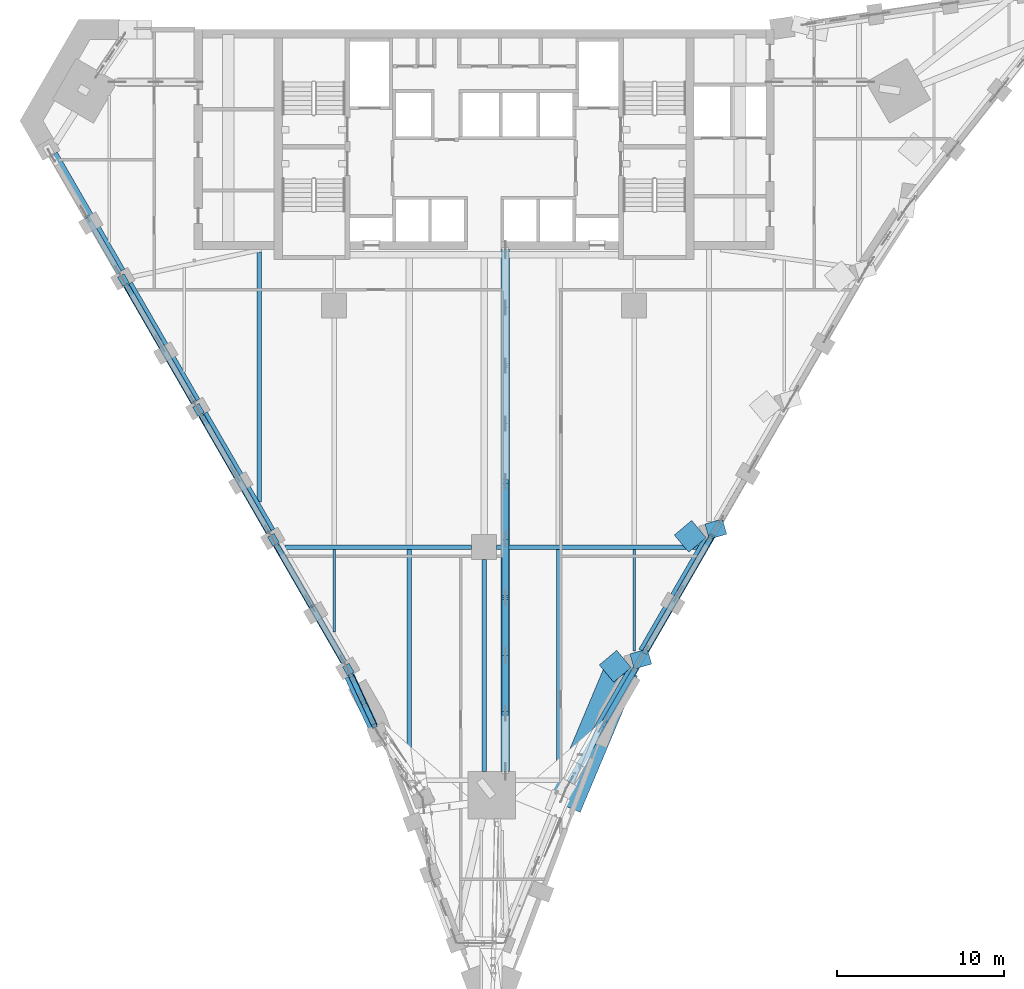
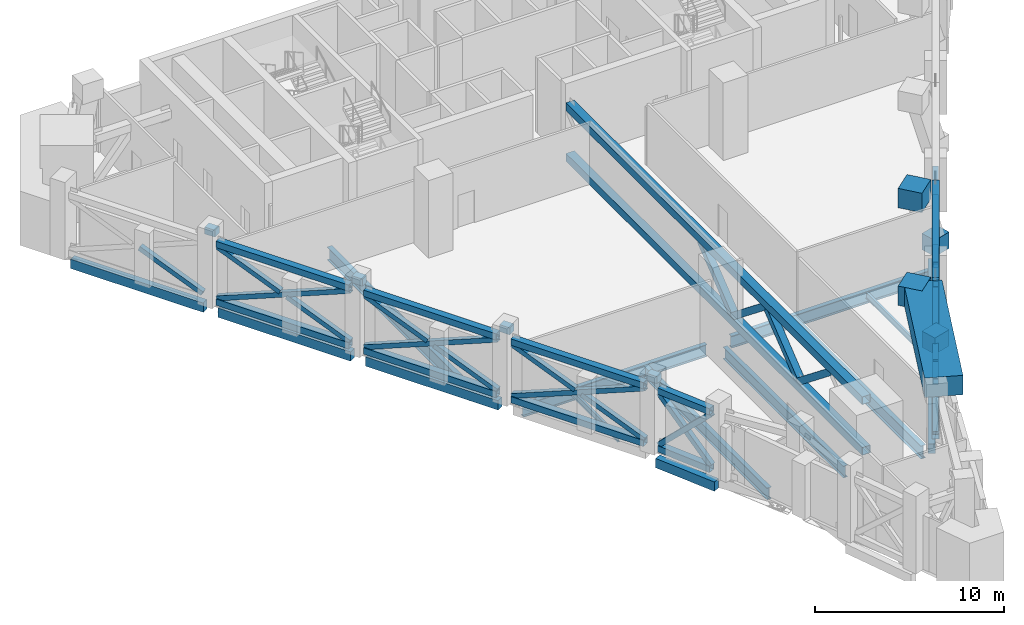
# One storey, part 2 of 20: 38 members, 23 beams.
"""IFC4 building model written with IfcOpenShell, lengths in metres."""

import ifcopenshell
import ifcopenshell.guid

model = None  # the IFC model being written
_history = None  # IfcOwnerHistory: only IFC2X3 demands one
_inside = {}  # id of a spatial element -> (the spatial element, [elements in it])
_under = {}  # id of a project, library or spatial element -> (it, [spatial elements below it])
_declared = {}  # id of a project -> (the project, [libraries it declares])
_typed = {}  # id of a type object -> (the type object, [elements of that type])
_made_of = {}  # id of a material, layer set ... -> (it, [elements and type objects made of it])


def new_model(schema):
    """Start an empty IFC model of exactly this schema.

    Asked for "IFC4X3", IfcOpenShell would pick the latest addendum, in which some entities
    have other attributes; the version numbers below select the first issue.
    IFC2X3 requires an IfcOwnerHistory on every rooted entity: one is made here for all.
    """
    global model, _history
    if schema == "IFC4X3":
        model = ifcopenshell.file(schema_version=(4, 3, 0, 0))
    else:
        model = ifcopenshell.file(schema=schema)
    _inside.clear()
    _under.clear()
    _declared.clear()
    _typed.clear()
    _made_of.clear()
    _history = None
    if model.schema == "IFC2X3":
        org = make("IfcOrganization", Name="unknown")
        user = make(
            "IfcPersonAndOrganization",
            ThePerson=make("IfcPerson", FamilyName="unknown"),
            TheOrganization=org,
        )
        app = make(
            "IfcApplication",
            ApplicationDeveloper=org,
            Version="unknown",
            ApplicationFullName="unknown",
            ApplicationIdentifier="unknown",
        )
        _history = make(
            "IfcOwnerHistory",
            OwningUser=user,
            OwningApplication=app,
            ChangeAction="ADDED",
            CreationDate=0,
        )
    return model


def make(cls, **values):
    """One entity of the class cls with the attributes given. An attribute that is None is left unset."""
    return model.create_entity(
        cls, **{name: value for name, value in values.items() if value is not None}
    )


def rooted(cls, **values):
    """An entity with a GlobalId (a new one), such as an element, a storey or a relation."""
    return make(cls, GlobalId=ifcopenshell.guid.new(), OwnerHistory=_history, **values)


def si_unit(unit_type, name, prefix=None):
    """IfcSIUnit, for example si_unit("LENGTHUNIT", "METRE", prefix="MILLI")."""
    return make("IfcSIUnit", UnitType=unit_type, Prefix=prefix, Name=name)


def assignment(units):
    """IfcUnitAssignment: the units of a project."""
    return None if units is None else make("IfcUnitAssignment", Units=units)


def point(xyz):
    """IfcCartesianPoint."""
    return None if xyz is None else make("IfcCartesianPoint", Coordinates=xyz)


def direction(xyz):
    """IfcDirection."""
    return None if xyz is None else make("IfcDirection", DirectionRatios=xyz)


def frame(location, z_axis=None, x_axis=None):
    """IfcAxis2Placement3D, a coordinate frame: its origin and axes. An axis left out is left unset."""
    return make(
        "IfcAxis2Placement3D",
        Location=point(location),
        Axis=direction(z_axis),
        RefDirection=direction(x_axis),
    )


def frame_2d(location, x_axis=None):
    """IfcAxis2Placement2D, a coordinate frame in the plane: its origin and x axis."""
    return make(
        "IfcAxis2Placement2D", Location=point(location), RefDirection=direction(x_axis)
    )


def origin():
    """The frame at (0, 0, 0) with its axes left unset."""
    return frame((0.0, 0.0, 0.0))


def origin_2d():
    """The frame at (0, 0) in the plane with its x axis left unset."""
    return frame_2d((0.0, 0.0))


def place(relative_to, where):
    """IfcLocalPlacement: puts the frame where relative to a parent placement (None: the world)."""
    return make(
        "IfcLocalPlacement", PlacementRelTo=relative_to, RelativePlacement=where
    )


def context(
    kind, dimensions, precision=None, world=None, true_north=None, identifier=None
):
    """IfcGeometricRepresentationContext, for example the 3D "Model" context."""
    return make(
        "IfcGeometricRepresentationContext",
        ContextIdentifier=identifier,
        ContextType=kind,
        CoordinateSpaceDimension=dimensions,
        Precision=precision,
        WorldCoordinateSystem=world,
        TrueNorth=true_north,
    )


def subcontext(parent, identifier, kind, view, scale=None):
    """IfcGeometricRepresentationSubContext, for example "Body" below "Model"."""
    return make(
        "IfcGeometricRepresentationSubContext",
        ContextIdentifier=identifier,
        ContextType=kind,
        ParentContext=parent,
        TargetScale=scale,
        TargetView=view,
    )


def project(units=None, contexts=None):
    """IfcProject with its units and contexts."""
    return rooted(
        "IfcProject",
        Name="project",
        RepresentationContexts=contexts,
        UnitsInContext=assignment(units),
    )


def spatial(cls, under=None, at=None, **own):
    """A site, building, storey or space (cls), placed at a placement, below another one or the project."""
    s = rooted(cls, ObjectPlacement=at, **own)
    if under is not None:
        _under.setdefault(under.id(), (under, []))[1].append(s)
    return s


def profile(cls, at=None, kind="AREA", **sizes):
    """A parametric profile (cls). Its sizes go by their IFC names, for example OverallWidth=200.0."""
    return make(cls, ProfileType=kind, Position=at, **sizes)


def rectangle(**sizes):
    """IfcRectangleProfileDef."""
    return profile("IfcRectangleProfileDef", **sizes)


def hollow_rectangle(**sizes):
    """IfcRectangleHollowProfileDef."""
    return profile("IfcRectangleHollowProfileDef", **sizes)


def i_section(**sizes):
    """IfcIShapeProfileDef."""
    return profile("IfcIShapeProfileDef", **sizes)


def extrude(swept, where, along, depth):
    """IfcExtrudedAreaSolid: the profile swept, set in the frame where, extruded along a direction by depth."""
    return make(
        "IfcExtrudedAreaSolid",
        SweptArea=swept,
        Position=where,
        ExtrudedDirection=direction(along),
        Depth=depth,
    )


def shape(context_of_items, identifier, shape_type, items):
    """IfcShapeRepresentation: the items that make up one representation, for example the "Body"."""
    return make(
        "IfcShapeRepresentation",
        ContextOfItems=context_of_items,
        RepresentationIdentifier=identifier,
        RepresentationType=shape_type,
        Items=items,
    )


def material(Name=None, Category=None):
    """IfcMaterial."""
    return make("IfcMaterial", Name=Name, Category=Category)


def material_profile(
    of_material, cross_section, Name=None, Category=None, Priority=None
):
    """IfcMaterialProfile: a cross section and its material."""
    return make(
        "IfcMaterialProfile",
        Name=Name,
        Material=of_material,
        Profile=cross_section,
        Priority=Priority,
        Category=Category,
    )


def profile_set(profiles, Name=None, composite=None):
    """IfcMaterialProfileSet."""
    return make(
        "IfcMaterialProfileSet",
        Name=Name,
        MaterialProfiles=profiles,
        CompositeProfile=composite,
    )


def made_of(thing, what):
    """Note that an element or type object is made of a material, layer set ...; save() writes the relation."""
    if what is not None:
        _made_of.setdefault(what.id(), (what, []))[1].append(thing)
    return thing


def type_object(cls, material=None, **own):
    """A type object (cls), such as IfcWallType, which elements share."""
    return made_of(rooted(cls, **own), material)


def element(
    cls,
    number,
    at=None,
    inside=None,
    cuts=None,
    type_object=None,
    material=None,
    context=None,
    identifier="Body",
    shape_type=None,
    held_by="IfcProductDefinitionShape",
    body=None,
    shapes=None,
    **own,
):
    """One element of the class cls, such as IfcWall. Its Tag is "e" and its number.

    at: its placement. inside: the storey or other place that contains it. cuts: it is an
    opening in that element (IfcRelVoidsElement). A single representation is given by context,
    identifier, shape_type and body (its items); several are given by shapes. held_by: the class
    of the entity that holds the representations. save() writes the other relations.
    """
    e = rooted(cls, Tag="e%d" % number, ObjectPlacement=at, **own)
    if body is not None:
        shapes = [shape(context, identifier, shape_type, body)]
    if shapes is not None:
        e.Representation = make(held_by, Representations=shapes)
    if inside is not None:
        _inside.setdefault(inside.id(), (inside, []))[1].append(e)
    if cuts is not None:
        rooted(
            "IfcRelVoidsElement", RelatingBuildingElement=cuts, RelatedOpeningElement=e
        )
    if type_object is not None:
        _typed.setdefault(type_object.id(), (type_object, []))[1].append(e)
    return made_of(e, material)


def aggregate(whole, parts):
    """IfcRelAggregates: a whole, such as a stair, and the parts it consists of."""
    return rooted("IfcRelAggregates", RelatingObject=whole, RelatedObjects=parts)


def save(model, path):
    """Write the relations noted so far, then the file.

    IfcRelAggregates (storeys below a building ...), IfcRelContainedInSpatialStructure (elements
    in a storey), IfcRelDefinesByType, IfcRelAssociatesMaterial and IfcRelDeclares: one each for
    every whole, place, type object, material and project.
    """
    for whole, parts in _under.values():
        aggregate(whole, parts)
    for where, things in _inside.values():
        rooted(
            "IfcRelContainedInSpatialStructure",
            RelatedElements=things,
            RelatingStructure=where,
        )
    for kind, things in _typed.values():
        rooted("IfcRelDefinesByType", RelatedObjects=things, RelatingType=kind)
    for what, things in _made_of.values():
        rooted("IfcRelAssociatesMaterial", RelatedObjects=things, RelatingMaterial=what)
    for by, libraries in _declared.values():
        rooted("IfcRelDeclares", RelatingContext=by, RelatedDefinitions=libraries)
    model.write(path)


model = new_model("IFC4")

# Units and contexts
model_context = context("Model", 3, precision=1e-05, world=origin(), true_north=direction((0.0, 1.0)))
body_context = subcontext(model_context, "Body", "Model", "MODEL_VIEW")
ifc_project = project(units=[si_unit("LENGTHUNIT", "METRE"), si_unit("AREAUNIT", "SQUARE_METRE"), si_unit("VOLUMEUNIT", "CUBIC_METRE"), si_unit("PLANEANGLEUNIT", "RADIAN"), si_unit("MASSUNIT", "GRAM", prefix="KILO")], contexts=[model_context])

# Site, building, storey
site_placement = place(None, origin())
site = spatial("IfcSite", under=ifc_project, at=site_placement, CompositionType="ELEMENT")
building_placement = place(site_placement, origin())
building = spatial("IfcBuilding", under=site, at=building_placement, Name="Calabash Gate Tower", CompositionType="ELEMENT")
storey_placement = place(building_placement, frame((0.0, 0.0, 139.60009765625)))
storey = spatial("IfcBuildingStorey", under=building, at=storey_placement, Name="L32", CompositionType="ELEMENT", Elevation=139.60009765625)

# Members
ifc_material_1 = material(Name="Steel ASTM A500 Gr C", Category="steel")
ifc_material_profile_1 = material_profile(ifc_material_1, hollow_rectangle(XDim=0.406494140625, YDim=0.406494140625, WallThickness=0.015869140625, at=origin_2d()))
ifc_profile_set_1 = profile_set([ifc_material_profile_1], Name="Steel ASTM A500 Gr C")
member_type_1 = type_object("IfcMemberType", Name="Belt truss chord HSS16X16X.625 ASTM A500 Gr C", PredefinedType="CHORD", material=ifc_profile_set_1)
for number, where, z_axis, x_axis, name in (
    (1, (-12.463134765625, -11.8779296875, 0.203125), (0.499999880539, -0.866025472755, 0.0), (0.866025472755, 0.499999880539, 0.0), "Belt chord L32 1"),
    (2, (-12.463134765625, -11.8779296875, 3.9267578125), (0.499999880539, -0.866025472755, 0.0), (0.866025472755, 0.499999880539, 0.0), "Belt chord L32 2"),
):
    element("IfcMember", number, at=place(storey_placement, frame(where, z_axis=z_axis, x_axis=x_axis)), inside=storey, type_object=member_type_1, Name=name, PredefinedType="CHORD", context=body_context, shape_type="SweptSolid", body=[
        extrude(hollow_rectangle(XDim=0.406494140625, YDim=0.406494140625, WallThickness=0.015869140625, at=origin_2d()), origin(), (0.0, 0.0, 1.0), 8.10009765625),
    ])
for number, where, z_axis, x_axis, name in (
    (3, (-7.997802734375, -19.692138671875, 0.203125), (0.421567614657, -0.906796970811, 0.0), (0.906796970811, 0.421567614657, 0.0), "Belt chord L32 6"),
    (4, (-7.997802734375, -19.692138671875, 3.9267578125), (0.421567614657, -0.906796970811, 0.0), (0.906796970811, 0.421567614657, 0.0), "Belt chord L32 7"),
):
    element("IfcMember", number, at=place(storey_placement, frame(where, z_axis=z_axis, x_axis=x_axis)), inside=storey, type_object=member_type_1, Name=name, PredefinedType="CHORD", context=body_context, shape_type="SweptSolid", body=[
        extrude(hollow_rectangle(XDim=0.406494140625, YDim=0.406494140625, WallThickness=0.015869140625, at=origin_2d()), origin(), (0.0, 0.0, 1.0), 3.347900390625),
    ])
member_1_placement = place(storey_placement, frame((5.134765625, -26.111328125, 0.203125), z_axis=(0.499993132197, 0.866029368876, 0.0), x_axis=(-0.866029368876, 0.499993132197, 0.0)))
element("IfcMember", 5, at=member_1_placement, inside=storey, type_object=member_type_1, Name="Belt chord L32 36", PredefinedType="CHORD", context=body_context, shape_type="SweptSolid", body=[
    extrude(hollow_rectangle(XDim=0.406494140625, YDim=0.406494140625, WallThickness=0.015869140625, at=origin_2d()), origin(), (0.0, 0.0, 1.0), 8.09375),
])
member_2_placement = place(storey_placement, frame((5.134765625, -26.111328125, 3.9267578125), z_axis=(0.499987832905, 0.866032427921, 2.7130492e-05), x_axis=(-0.86603242824, 0.499987833089, 0.0)))
element("IfcMember", 6, at=member_2_placement, inside=storey, type_object=member_type_1, Name="Belt chord L32 37", PredefinedType="CHORD", context=body_context, shape_type="SweptSolid", body=[
    extrude(hollow_rectangle(XDim=0.406494140625, YDim=0.406494140625, WallThickness=0.015869140625, at=origin_2d()), origin(), (0.0, 0.0, 1.0), 8.998779296875),
])
member_3_placement = place(storey_placement, frame((9.631591796875, -18.322509765625, 0.203125), z_axis=(0.499999880539, 0.866025472755, 0.0), x_axis=(-0.866025472755, 0.499999880539, 0.0)))
element("IfcMember", 7, at=member_3_placement, inside=storey, type_object=member_type_1, Name="Belt chord L32 41", PredefinedType="CHORD", context=body_context, shape_type="SweptSolid", body=[
    extrude(hollow_rectangle(XDim=0.406494140625, YDim=0.406494140625, WallThickness=0.015869140625, at=origin_2d()), origin(), (0.0, 0.0, 1.0), 8.10009765625),
])
member_4_placement = place(storey_placement, frame((9.631591796875, -18.322509765625, 3.9267578125), z_axis=(0.499993906815, 0.866028921234, 2.7111696e-05), x_axis=(-0.866028921552, 0.499993906999, 0.0)))
element("IfcMember", 8, at=member_4_placement, inside=storey, type_object=member_type_1, Name="Belt chord L32 42", PredefinedType="CHORD", context=body_context, shape_type="SweptSolid", body=[
    extrude(hollow_rectangle(XDim=0.406494140625, YDim=0.406494140625, WallThickness=0.015869140625, at=origin_2d()), origin(), (0.0, 0.0, 1.0), 9.0048828125),
])
for number, where, z_axis, x_axis, name in (
    (9, (-21.463134765625, 3.71044921875, 0.203125), (0.499999880539, -0.866025472755, 0.0), (0.866025472755, 0.499999880539, 0.0), "Belt chord L32 96"),
    (10, (-21.463134765625, 3.71044921875, 3.9267578125), (0.499999880539, -0.866025472755, 0.0), (0.866025472755, 0.499999880539, 0.0), "Belt chord L32 97"),
    (11, (-16.963134765625, -4.083740234375, 0.203125), (0.499999880539, -0.866025472755, 0.0), (0.866025472755, 0.499999880539, 0.0), "Belt chord L32 101"),
    (12, (-16.963134765625, -4.083740234375, 3.9267578125), (0.499999880539, -0.866025472755, 0.0), (0.866025472755, 0.499999880539, 0.0), "Belt chord L32 102"),
):
    element("IfcMember", number, at=place(storey_placement, frame(where, z_axis=z_axis, x_axis=x_axis)), inside=storey, type_object=member_type_1, Name=name, PredefinedType="CHORD", context=body_context, shape_type="SweptSolid", body=[
        extrude(hollow_rectangle(XDim=0.406494140625, YDim=0.406494140625, WallThickness=0.015869140625, at=origin_2d()), origin(), (0.0, 0.0, 1.0), 8.10009765625),
    ])
ifc_material_2 = material(Name="Steel ASTM A500 Gr C", Category="steel")
ifc_material_profile_2 = material_profile(ifc_material_2, hollow_rectangle(XDim=0.3046875, YDim=0.3046875, WallThickness=0.0126953125, at=origin_2d()))
ifc_profile_set_2 = profile_set([ifc_material_profile_2], Name="Steel ASTM A500 Gr C")
member_type_2 = type_object("IfcMemberType", Name="Belt truss diagonal HSS12X12X.500 ASTM A500 Gr C", PredefinedType="BRACE", material=ifc_profile_set_2)
member_5_placement = place(storey_placement, frame((-12.463134765625, -11.8779296875, 0.40625), z_axis=(0.462704041468, -0.801427163994, 0.378971596325), x_axis=(0.866025472755, 0.499999880539, 0.0)))
element("IfcMember", 13, at=member_5_placement, inside=storey, type_object=member_type_2, Name="Belt diagonal L32 3", PredefinedType="BRACE", context=body_context, shape_type="SweptSolid", body=[
    extrude(hollow_rectangle(XDim=0.3046875, YDim=0.3046875, WallThickness=0.0126953125, at=origin_2d()), origin(), (0.0, 0.0, 1.0), 8.7529296875),
])
for number, where, z_axis, x_axis, name in (
    (14, (-12.463134765625, -11.8779296875, 3.723388671875), (0.462679271023, -0.801441269637, -0.378972008846), (0.866040873467, 0.499973204766, 0.0), "Belt diagonal (split) L32 4 half 1 of 2"),
    (15, (-10.337646484375, -15.5595703125, 1.982666015625), (0.46271511004, -0.801401674157, -0.379011983449), (0.866013407032, 0.50002077841, 0.0), "Belt diagonal (split) L32 5 half 2 of 2"),
):
    element("IfcMember", number, at=place(storey_placement, frame(where, z_axis=z_axis, x_axis=x_axis)), inside=storey, type_object=member_type_2, Name=name, PredefinedType="BRACE", context=body_context, shape_type="SweptSolid", body=[
        extrude(hollow_rectangle(XDim=0.3046875, YDim=0.3046875, WallThickness=0.0126953125, at=origin_2d()), origin(), (0.0, 0.0, 1.0), 4.1591796875),
    ])
member_6_placement = place(storey_placement, frame((-7.997802734375, -19.692138671875, 0.40625), z_axis=(0.299467055973, -0.644157211733, 0.70383305475), x_axis=(0.906796970811, 0.421567614657, 0.0)))
element("IfcMember", 16, at=member_6_placement, inside=storey, type_object=member_type_2, Name="Belt diagonal L32 8", PredefinedType="BRACE", context=body_context, shape_type="SweptSolid", body=[
    extrude(hollow_rectangle(XDim=0.3046875, YDim=0.3046875, WallThickness=0.0126953125, at=origin_2d()), origin(), (0.0, 0.0, 1.0), 4.712890625),
])
for number, where, z_axis, x_axis, name in (
    (17, (-7.997802734375, -19.692138671875, 3.723388671875), (0.299522966927, -0.644129457352, -0.703834664147), (0.906759935702, 0.421647268467, 0.0), "Belt diagonal (split) L32 9 half 1 of 2"),
    (18, (-7.246337890625, -21.30810546875, 1.95751953125), (0.299400764365, -0.644215629134, -0.703807790151), (0.906847251639, 0.421459443119, 0.0), "Belt diagonal (split) L32 10 half 2 of 2"),
):
    element("IfcMember", number, at=place(storey_placement, frame(where, z_axis=z_axis, x_axis=x_axis)), inside=storey, type_object=member_type_2, Name=name, PredefinedType="BRACE", context=body_context, shape_type="SweptSolid", body=[
        extrude(hollow_rectangle(XDim=0.3046875, YDim=0.3046875, WallThickness=0.0126953125, at=origin_2d()), origin(), (0.0, 0.0, 1.0), 2.2041015625),
    ])
member_7_placement = place(storey_placement, frame((5.134765625, -26.111328125, 0.40625), z_axis=(0.462646566462, 0.801342034852, 0.379221699959), x_axis=(-0.866029368876, 0.499993132197, 0.0)))
element("IfcMember", 19, at=member_7_placement, inside=storey, type_object=member_type_2, Name="Belt diagonal L32 38", PredefinedType="BRACE", context=body_context, shape_type="SweptSolid", body=[
    extrude(hollow_rectangle(XDim=0.3046875, YDim=0.3046875, WallThickness=0.0126953125, at=origin_2d()), origin(), (0.0, 0.0, 1.0), 8.747314453125),
])
member_8_placement = place(storey_placement, frame((5.134765625, -26.111328125, 3.723388671875), z_axis=(0.462641855424, 0.801340806462, -0.379230042994), x_axis=(-0.86603124159, 0.499989888488, 0.0)))
element("IfcMember", 20, at=member_8_placement, inside=storey, type_object=member_type_2, Name="Belt diagonal (split) L32 39 half 1 of 2", PredefinedType="BRACE", context=body_context, shape_type="SweptSolid", body=[
    extrude(hollow_rectangle(XDim=0.3046875, YDim=0.3046875, WallThickness=0.0126953125, at=origin_2d()), origin(), (0.0, 0.0, 1.0), 4.15625),
])
member_9_placement = place(storey_placement, frame((7.258544921875, -22.4326171875, 1.982666015625), z_axis=(0.462655938734, 0.801322200348, -0.379252176768), x_axis=(-0.866019623948, 0.500010010836, 0.0)))
element("IfcMember", 21, at=member_9_placement, inside=storey, type_object=member_type_2, Name="Belt diagonal (split) L32 40 half 2 of 2", PredefinedType="BRACE", context=body_context, shape_type="SweptSolid", body=[
    extrude(hollow_rectangle(XDim=0.3046875, YDim=0.3046875, WallThickness=0.0126953125, at=origin_2d()), origin(), (0.0, 0.0, 1.0), 4.15673828125),
])
member_10_placement = place(storey_placement, frame((9.631591796875, -18.322509765625, 0.40625), z_axis=(0.462704041468, 0.801427163994, 0.378971596325), x_axis=(-0.866025472755, 0.499999880539, 0.0)))
element("IfcMember", 22, at=member_10_placement, inside=storey, type_object=member_type_2, Name="Belt diagonal L32 43", PredefinedType="BRACE", context=body_context, shape_type="SweptSolid", body=[
    extrude(hollow_rectangle(XDim=0.3046875, YDim=0.3046875, WallThickness=0.0126953125, at=origin_2d()), origin(), (0.0, 0.0, 1.0), 8.7529296875),
])
for number, where, z_axis, x_axis, name in (
    (23, (9.631591796875, -18.322509765625, 3.723388671875), (0.462725403696, 0.801419502304, -0.378961715878), (-0.866013407032, 0.50002077841, 0.0), "Belt diagonal (split) L32 44 half 1 of 2"),
    (24, (11.757080078125, -14.640869140625, 1.982666015625), (0.46271511004, 0.801401674157, -0.379011983449), (-0.866013407032, 0.50002077841, 0.0), "Belt diagonal (split) L32 45 half 2 of 2"),
    (25, (14.131591796875, -10.5283203125, 3.723388671875), (0.462725403696, 0.801419502304, -0.378961715878), (-0.866013407032, 0.50002077841, 0.0), "Belt diagonal (split) L32 49 half 1 of 2"),
    (26, (-23.837646484375, 7.8232421875, 1.982666015625), (0.46271511004, -0.801401674157, -0.379011983449), (0.866013407032, 0.50002077841, 0.0), "Belt diagonal (split) L32 95 half 2 of 2"),
):
    element("IfcMember", number, at=place(storey_placement, frame(where, z_axis=z_axis, x_axis=x_axis)), inside=storey, type_object=member_type_2, Name=name, PredefinedType="BRACE", context=body_context, shape_type="SweptSolid", body=[
        extrude(hollow_rectangle(XDim=0.3046875, YDim=0.3046875, WallThickness=0.0126953125, at=origin_2d()), origin(), (0.0, 0.0, 1.0), 4.1591796875),
    ])
member_11_placement = place(storey_placement, frame((-21.463134765625, 3.71044921875, 0.40625), z_axis=(0.462704041468, -0.801427163994, 0.378971596325), x_axis=(0.866025472755, 0.499999880539, 0.0)))
element("IfcMember", 27, at=member_11_placement, inside=storey, type_object=member_type_2, Name="Belt diagonal L32 98", PredefinedType="BRACE", context=body_context, shape_type="SweptSolid", body=[
    extrude(hollow_rectangle(XDim=0.3046875, YDim=0.3046875, WallThickness=0.0126953125, at=origin_2d()), origin(), (0.0, 0.0, 1.0), 8.7529296875),
])
member_12_placement = place(storey_placement, frame((-21.463134765625, 3.71044921875, 3.723388671875), z_axis=(0.462679271023, -0.801441269637, -0.378972008846), x_axis=(0.866040873467, 0.499973204766, 0.0)))
element("IfcMember", 28, at=member_12_placement, inside=storey, type_object=member_type_2, Name="Belt diagonal (split) L32 99 half 1 of 2", PredefinedType="BRACE", context=body_context, shape_type="SweptSolid", body=[
    extrude(hollow_rectangle(XDim=0.3046875, YDim=0.3046875, WallThickness=0.0126953125, at=origin_2d()), origin(), (0.0, 0.0, 1.0), 4.1591796875),
])
member_13_placement = place(storey_placement, frame((-19.337646484375, 0.029052734375, 1.982666015625), z_axis=(0.462693344405, -0.801422672144, -0.378994155122), x_axis=(0.866029264609, 0.499993312796, 0.0)))
element("IfcMember", 29, at=member_13_placement, inside=storey, type_object=member_type_2, Name="Belt diagonal (split) L32 100 half 2 of 2", PredefinedType="BRACE", context=body_context, shape_type="SweptSolid", body=[
    extrude(hollow_rectangle(XDim=0.3046875, YDim=0.3046875, WallThickness=0.0126953125, at=origin_2d()), origin(), (0.0, 0.0, 1.0), 4.159423828125),
])
member_14_placement = place(storey_placement, frame((-16.963134765625, -4.083740234375, 0.40625), z_axis=(0.462704041468, -0.801427163994, 0.378971596325), x_axis=(0.866025472755, 0.499999880539, 0.0)))
element("IfcMember", 30, at=member_14_placement, inside=storey, type_object=member_type_2, Name="Belt diagonal L32 103", PredefinedType="BRACE", context=body_context, shape_type="SweptSolid", body=[
    extrude(hollow_rectangle(XDim=0.3046875, YDim=0.3046875, WallThickness=0.0126953125, at=origin_2d()), origin(), (0.0, 0.0, 1.0), 8.7529296875),
])
for number, where, z_axis, x_axis, name in (
    (31, (-16.963134765625, -4.083740234375, 3.723388671875), (0.462679271023, -0.801441269637, -0.378972008846), (0.866040873467, 0.499973204766, 0.0), "Belt diagonal (split) L32 104 half 1 of 2"),
    (32, (-14.837646484375, -7.765380859375, 1.982666015625), (0.46271511004, -0.801401674157, -0.379011983449), (0.866013407032, 0.50002077841, 0.0), "Belt diagonal (split) L32 105 half 2 of 2"),
):
    element("IfcMember", number, at=place(storey_placement, frame(where, z_axis=z_axis, x_axis=x_axis)), inside=storey, type_object=member_type_2, Name=name, PredefinedType="BRACE", context=body_context, shape_type="SweptSolid", body=[
        extrude(hollow_rectangle(XDim=0.3046875, YDim=0.3046875, WallThickness=0.0126953125, at=origin_2d()), origin(), (0.0, 0.0, 1.0), 4.1591796875),
    ])

# Beams
ifc_material_3 = material(Name="Concrete C80/95", Category="concrete")
ifc_material_profile_3 = material_profile(ifc_material_3, rectangle(XDim=0.449951171875, YDim=0.449951171875, at=origin_2d()))
ifc_profile_set_3 = profile_set([ifc_material_profile_3], Name="Concrete C80/95")
beam_type_1 = type_object("IfcBeamType", Name="Column offset link RC 450x450 Concrete C80/95", PredefinedType="BEAM", material=ifc_profile_set_3)
beam_1_placement = place(storey_placement, frame((-21.489990234375, 3.757080078125, 4.60400390625), z_axis=(-0.498062309205, 0.867141243483, 0.0), x_axis=(-0.867141243483, -0.498062309205, 0.0)))
element("IfcBeam", 33, at=beam_1_placement, inside=storey, type_object=beam_type_1, Name="Column offset link L32 P00", PredefinedType="BEAM", context=body_context, shape_type="SweptSolid", body=[
    extrude(rectangle(XDim=0.449951171875, YDim=0.449951171875, at=origin_2d()), origin(), (0.0, 0.0, 1.0), 0.62841796875),
])
beam_2_placement = place(storey_placement, frame((-16.989990234375, -4.037109375, 4.60400390625), z_axis=(-0.497894565201, 0.867237569495, 0.0), x_axis=(-0.867237569495, -0.497894565201, 0.0)))
element("IfcBeam", 34, at=beam_2_placement, inside=storey, type_object=beam_type_1, Name="Column offset link L32 P01", PredefinedType="BEAM", context=body_context, shape_type="SweptSolid", body=[
    extrude(rectangle(XDim=0.449951171875, YDim=0.449951171875, at=origin_2d()), origin(), (0.0, 0.0, 1.0), 0.628662109375),
])
beam_3_placement = place(storey_placement, frame((-12.489990234375, -11.83203125, 4.60400390625), z_axis=(-0.497224532081, 0.867621901923, 0.0), x_axis=(-0.867621901923, -0.497224532081, 0.0)))
element("IfcBeam", 35, at=beam_3_placement, inside=storey, type_object=beam_type_1, Name="Column offset link L32 P02", PredefinedType="BEAM", context=body_context, shape_type="SweptSolid", body=[
    extrude(rectangle(XDim=0.449951171875, YDim=0.449951171875, at=origin_2d()), origin(), (0.0, 0.0, 1.0), 0.62939453125),
])
beam_4_placement = place(storey_placement, frame((-7.989990234375, -19.6259765625, 4.60400390625), z_axis=(-0.497391899042, 0.867525964319, 0.0), x_axis=(-0.867525964319, -0.497391899042, 0.0)))
element("IfcBeam", 36, at=beam_4_placement, inside=storey, type_object=beam_type_1, Name="Column offset link L32 P03", PredefinedType="BEAM", context=body_context, shape_type="SweptSolid", body=[
    extrude(rectangle(XDim=0.449951171875, YDim=0.449951171875, at=origin_2d()), origin(), (0.0, 0.0, 1.0), 0.629150390625),
])
ifc_material_4 = material(Name="Concrete C60/75", Category="concrete")
ifc_material_profile_4 = material_profile(ifc_material_4, rectangle(XDim=0.39990234375, YDim=0.60009765625, at=origin_2d()))
ifc_profile_set_4 = profile_set([ifc_material_profile_4], Name="Concrete C60/75")
beam_type_2 = type_object("IfcBeamType", Name="Edge beam RC 400x600 Concrete C60/75", PredefinedType="BEAM", material=ifc_profile_set_4)
beam_5_placement = place(storey_placement, frame((-16.7900390625, -3.98388671875, -0.60009765625), z_axis=(0.499986829629, -0.866033007568, 0.0), x_axis=(0.866033007568, 0.499986829629, 0.0)))
element("IfcBeam", 37, at=beam_5_placement, inside=storey, type_object=beam_type_2, Name="Edge beam L32 1", PredefinedType="BEAM", context=body_context, shape_type="SweptSolid", body=[
    extrude(rectangle(XDim=0.39990234375, YDim=0.60009765625, at=origin_2d()), origin(), (0.0, 0.0, 1.0), 8.100341796875),
])
beam_6_placement = place(storey_placement, frame((-8.177001953125, -19.781982421875, -0.60009765625), z_axis=(0.421644592457, -0.906761180053, 0.0), x_axis=(0.906761180053, 0.421644592457, 0.0)))
element("IfcBeam", 38, at=beam_6_placement, inside=storey, type_object=beam_type_2, Name="Edge beam L32 3", PredefinedType="BEAM", context=body_context, shape_type="SweptSolid", body=[
    extrude(rectangle(XDim=0.39990234375, YDim=0.60009765625, at=origin_2d()), origin(), (0.0, 0.0, 1.0), 3.79248046875),
])
beam_7_placement = place(storey_placement, frame((4.9580078125, -26.01708984375, -0.60009765625), z_axis=(0.499986829629, 0.866033007568, 0.0), x_axis=(-0.866033007568, 0.499986829629, 0.0)))
element("IfcBeam", 39, at=beam_7_placement, inside=storey, type_object=beam_type_2, Name="Edge beam L32 10", PredefinedType="BEAM", context=body_context, shape_type="SweptSolid", body=[
    extrude(rectangle(XDim=0.39990234375, YDim=0.60009765625, at=origin_2d()), origin(), (0.0, 0.0, 1.0), 8.100341796875),
])
beam_8_placement = place(storey_placement, frame((9.4580078125, -18.221923828125, -0.60009765625), z_axis=(0.50005208986, 0.865995327601, 0.0), x_axis=(-0.865995327601, 0.50005208986, 0.0)))
element("IfcBeam", 40, at=beam_8_placement, inside=storey, type_object=beam_type_2, Name="Edge beam L32 11", PredefinedType="BEAM", context=body_context, shape_type="SweptSolid", body=[
    extrude(rectangle(XDim=0.39990234375, YDim=0.60009765625, at=origin_2d()), origin(), (0.0, 0.0, 1.0), 8.099365234375),
])
beam_9_placement = place(storey_placement, frame((-25.7900390625, 11.60693359375, -0.60009765625), z_axis=(0.49989548915, -0.866085734744, 0.0), x_axis=(0.866085734744, 0.49989548915, 0.0)))
element("IfcBeam", 41, at=beam_9_placement, inside=storey, type_object=beam_type_2, Name="Edge beam L32 23", PredefinedType="BEAM", context=body_context, shape_type="SweptSolid", body=[
    extrude(rectangle(XDim=0.39990234375, YDim=0.60009765625, at=origin_2d()), origin(), (0.0, 0.0, 1.0), 8.101806640625),
])
beam_10_placement = place(storey_placement, frame((-21.2900390625, 3.81005859375, -0.60009765625), z_axis=(0.500039036678, -0.866002864775, 0.0), x_axis=(0.866002864775, 0.500039036678, 0.0)))
element("IfcBeam", 42, at=beam_10_placement, inside=storey, type_object=beam_type_2, Name="Edge beam L32 24", PredefinedType="BEAM", context=body_context, shape_type="SweptSolid", body=[
    extrude(rectangle(XDim=0.39990234375, YDim=0.60009765625, at=origin_2d()), origin(), (0.0, 0.0, 1.0), 8.099365234375),
])
ifc_material_5 = material(Name="Steel ASTM A992 Gr50", Category="steel")
ifc_material_profile_5 = material_profile(ifc_material_5, i_section(OverallWidth=0.1396484375, OverallDepth=0.398681640625, WebThickness=0.00634765625, FlangeThickness=0.0087890625, FilletRadius=0.01025390625, at=origin_2d()))
ifc_profile_set_5 = profile_set([ifc_material_profile_5], Name="Steel ASTM A992 Gr50")
beam_type_3 = type_object("IfcBeamType", Name="Floor beam W16x26 ASTM A992 Gr50", PredefinedType="BEAM", material=ifc_profile_set_5)
beam_11_placement = place(storey_placement, frame((-9.0, -17.087890625, -0.4990234375), z_axis=(0.0, 1.0, 0.0), x_axis=(-1.0, 0.0, 0.0)))
element("IfcBeam", 43, at=beam_11_placement, inside=storey, type_object=beam_type_3, Name="Floor beam L32 4", PredefinedType="BEAM", context=body_context, shape_type="SweptSolid", body=[
    extrude(i_section(OverallWidth=0.1396484375, OverallDepth=0.398681640625, WebThickness=0.00634765625, FlangeThickness=0.0087890625, FilletRadius=0.01025390625, at=origin_2d()), origin(), (0.0, 0.0, 1.0), 4.954833984375),
])
beam_12_placement = place(storey_placement, frame((9.0, -18.248046875, -0.4990234375), z_axis=(0.0, 1.0, 0.0), x_axis=(-1.0, 0.0, 0.0)))
element("IfcBeam", 44, at=beam_12_placement, inside=storey, type_object=beam_type_3, Name="Floor beam L32 13", PredefinedType="BEAM", context=body_context, shape_type="SweptSolid", body=[
    extrude(i_section(OverallWidth=0.1396484375, OverallDepth=0.398681640625, WebThickness=0.00634765625, FlangeThickness=0.0087890625, FilletRadius=0.01025390625, at=origin_2d()), origin(), (0.0, 0.0, 1.0), 6.114990234375),
])
ifc_material_6 = material(Name="Steel ASTM A992 Gr50", Category="steel")
ifc_material_profile_6 = material_profile(ifc_material_6, i_section(OverallWidth=0.2666015625, OverallDepth=0.7568359375, WebThickness=0.013916015625, FlangeThickness=0.019287109375, FilletRadius=0.0166015625, at=origin_2d()))
ifc_profile_set_6 = profile_set([ifc_material_profile_6], Name="Steel ASTM A992 Gr50")
beam_type_4 = type_object("IfcBeamType", Name="Floor beam W30x108 ASTM A992 Gr50", PredefinedType="BEAM", material=ifc_profile_set_6)
beam_13_placement = place(storey_placement, frame((-4.5, -25.201904296875, -0.677978515625), z_axis=(0.0, 1.0, 0.0), x_axis=(-1.0, 0.0, 0.0)))
element("IfcBeam", 45, at=beam_13_placement, inside=storey, type_object=beam_type_4, Name="Floor beam L32 7", PredefinedType="BEAM", context=body_context, shape_type="SweptSolid", body=[
    extrude(i_section(OverallWidth=0.2666015625, OverallDepth=0.7568359375, WebThickness=0.013916015625, FlangeThickness=0.019287109375, FilletRadius=0.0166015625, at=origin_2d()), origin(), (0.0, 0.0, 1.0), 13.06884765625),
])
beam_14_placement = place(storey_placement, frame((0.0, -25.468017578125, -0.677978515625), z_axis=(0.0, 1.0, 0.0), x_axis=(-1.0, 0.0, 0.0)))
element("IfcBeam", 46, at=beam_14_placement, inside=storey, type_object=beam_type_4, Name="Floor beam L32 9", PredefinedType="BEAM", context=body_context, shape_type="SweptSolid", body=[
    extrude(i_section(OverallWidth=0.2666015625, OverallDepth=0.7568359375, WebThickness=0.013916015625, FlangeThickness=0.019287109375, FilletRadius=0.0166015625, at=origin_2d()), origin(), (0.0, 0.0, 1.0), 12.718017578125),
])
ifc_material_7 = material(Name="Steel ASTM A992 Gr50", Category="steel")
ifc_material_profile_7 = material_profile(ifc_material_7, i_section(OverallWidth=0.2919921875, OverallDepth=0.845703125, WebThickness=0.015380859375, FlangeThickness=0.0244140625, FilletRadius=0.017822265625, at=origin_2d()))
ifc_profile_set_7 = profile_set([ifc_material_profile_7], Name="Steel ASTM A992 Gr50")
beam_type_5 = type_object("IfcBeamType", Name="Floor beam W33x141 ASTM A992 Gr50", PredefinedType="BEAM", material=ifc_profile_set_7)
beam_15_placement = place(storey_placement, frame((-13.5, -9.2939453125, -0.72314453125), z_axis=(0.0, 1.0, 0.0), x_axis=(-1.0, 0.0, 0.0)))
element("IfcBeam", 47, at=beam_15_placement, inside=storey, type_object=beam_type_5, Name="Floor beam L32 3", PredefinedType="BEAM", context=body_context, shape_type="SweptSolid", body=[
    extrude(i_section(OverallWidth=0.2919921875, OverallDepth=0.845703125, WebThickness=0.015380859375, FlangeThickness=0.0244140625, FilletRadius=0.017822265625, at=origin_2d()), origin(), (0.0, 0.0, 1.0), 15.00390625),
])
beam_16_placement = place(storey_placement, frame((4.5, -25.89892578125, -0.72314453125), z_axis=(0.0, 1.0, 0.0), x_axis=(-1.0, 0.0, 0.0)))
element("IfcBeam", 48, at=beam_16_placement, inside=storey, type_object=beam_type_5, Name="Floor beam L32 11", PredefinedType="BEAM", context=body_context, shape_type="SweptSolid", body=[
    extrude(i_section(OverallWidth=0.2919921875, OverallDepth=0.845703125, WebThickness=0.015380859375, FlangeThickness=0.0244140625, FilletRadius=0.017822265625, at=origin_2d()), origin(), (0.0, 0.0, 1.0), 13.765869140625),
])
ifc_material_8 = material(Name="Steel ASTM A992 Gr50", Category="steel")
ifc_material_profile_8 = material_profile(ifc_material_8, i_section(OverallWidth=0.2666015625, OverallDepth=0.77978515625, WebThickness=0.0166015625, FlangeThickness=0.030029296875, FilletRadius=0.0166015625, at=origin_2d()))
ifc_profile_set_8 = profile_set([ifc_material_profile_8], Name="Steel ASTM A992 Gr50")
beam_type_6 = type_object("IfcBeamType", Name="Girder W30x148 ASTM A992 Gr50", PredefinedType="BEAM", material=ifc_profile_set_8)
beam_17_placement = place(storey_placement, frame((-11.943115234375, -12.0, -0.690185546875), z_axis=(1.0, 0.0, 0.0), x_axis=(0.0, 1.0, 0.0)))
element("IfcBeam", 49, at=beam_17_placement, inside=storey, type_object=beam_type_6, Name="Girder L32 4", PredefinedType="BEAM", context=body_context, shape_type="SweptSolid", body=[
    extrude(i_section(OverallWidth=0.2666015625, OverallDepth=0.77978515625, WebThickness=0.0166015625, FlangeThickness=0.030029296875, FilletRadius=0.0166015625, at=origin_2d()), origin(), (0.0, 0.0, 1.0), 11.193115234375),
])
beam_18_placement = place(storey_placement, frame((0.75, -12.0, -0.690185546875), z_axis=(1.0, 0.0, 0.0), x_axis=(0.0, 1.0, 0.0)))
element("IfcBeam", 50, at=beam_18_placement, inside=storey, type_object=beam_type_6, Name="Girder L32 5", PredefinedType="BEAM", context=body_context, shape_type="SweptSolid", body=[
    extrude(i_section(OverallWidth=0.2666015625, OverallDepth=0.77978515625, WebThickness=0.0166015625, FlangeThickness=0.030029296875, FilletRadius=0.0166015625, at=origin_2d()), origin(), (0.0, 0.0, 1.0), 12.10205078125),
])

# Members
ifc_material_9 = material(Name="Steel ASTM A500 Gr C", Category="steel")
ifc_material_profile_9 = material_profile(ifc_material_9, hollow_rectangle(XDim=0.508056640625, YDim=0.508056640625, WallThickness=0.01904296875, at=origin_2d()))
ifc_profile_set_9 = profile_set([ifc_material_profile_9], Name="Steel ASTM A500 Gr C")
member_type_3 = type_object("IfcMemberType", Name="Outrigger chord HSS20X20X.750 ASTM A500 Gr C", PredefinedType="CHORD", material=ifc_profile_set_9)
for number, where, z_axis, x_axis, name in (
    (51, (1.26953125, -25.4677734375, 0.25390625), (0.0, 1.0, 0.0), (-1.0, 0.0, 0.0), "Outrigger chord L32 S"),
    (52, (1.26953125, -25.4677734375, 3.52587890625), (0.0, 1.0, 0.0), (-1.0, 0.0, 0.0), "Outrigger chord L32 S"),
):
    element("IfcMember", number, at=place(storey_placement, frame(where, z_axis=z_axis, x_axis=x_axis)), inside=storey, type_object=member_type_3, Name=name, PredefinedType="CHORD", context=body_context, shape_type="SweptSolid", body=[
        extrude(hollow_rectangle(XDim=0.508056640625, YDim=0.508056640625, WallThickness=0.01904296875, at=origin_2d()), origin(), (0.0, 0.0, 1.0), 31.3203125),
    ])
ifc_material_10 = material(Name="Steel ASTM A500 Gr C", Category="steel")
ifc_material_profile_10 = material_profile(ifc_material_10, hollow_rectangle(XDim=0.406494140625, YDim=0.406494140625, WallThickness=0.015869140625, at=origin_2d()))
ifc_profile_set_10 = profile_set([ifc_material_profile_10], Name="Steel ASTM A500 Gr C")
member_type_4 = type_object("IfcMemberType", Name="Outrigger diagonal HSS16X16X.625 ASTM A500 Gr C", PredefinedType="BRACE", material=ifc_profile_set_10)
member_15_placement = place(storey_placement, frame((1.26953125, -21.98779296875, 3.27197265625), z_axis=(0.0, 0.78304002467, -0.621971317477), x_axis=(-1.0, 0.0, 0.0)))
element("IfcMember", 53, at=member_15_placement, inside=storey, type_object=member_type_4, Name="Outrigger diagonal L32 S", PredefinedType="BRACE", context=body_context, shape_type="SweptSolid", body=[
    extrude(hollow_rectangle(XDim=0.406494140625, YDim=0.406494140625, WallThickness=0.015869140625, at=origin_2d()), origin(), (0.0, 0.0, 1.0), 4.444091796875),
])
member_16_placement = place(storey_placement, frame((1.26953125, -18.5078125, 0.5078125), z_axis=(0.0, 0.783061274718, 0.621944563476), x_axis=(-1.0, 0.0, 0.0)))
element("IfcMember", 54, at=member_16_placement, inside=storey, type_object=member_type_4, Name="Outrigger diagonal L32 S", PredefinedType="BRACE", context=body_context, shape_type="SweptSolid", body=[
    extrude(hollow_rectangle(XDim=0.406494140625, YDim=0.406494140625, WallThickness=0.015869140625, at=origin_2d()), origin(), (0.0, 0.0, 1.0), 4.4443359375),
])
for number, where, z_axis, x_axis, name in (
    (55, (1.26953125, -15.027587890625, 3.27197265625), (0.0, 0.78304002467, -0.621971317477), (-1.0, 0.0, 0.0), "Outrigger diagonal L32 S"),
    (56, (1.26953125, -11.547607421875, 0.5078125), (0.0, 0.78304002467, 0.621971317477), (-1.0, 0.0, 0.0), "Outrigger diagonal L32 S"),
):
    element("IfcMember", number, at=place(storey_placement, frame(where, z_axis=z_axis, x_axis=x_axis)), inside=storey, type_object=member_type_4, Name=name, PredefinedType="BRACE", context=body_context, shape_type="SweptSolid", body=[
        extrude(hollow_rectangle(XDim=0.406494140625, YDim=0.406494140625, WallThickness=0.015869140625, at=origin_2d()), origin(), (0.0, 0.0, 1.0), 4.444091796875),
    ])

# Beams
ifc_material_11 = material(Name="Concrete C60/75", Category="concrete")
ifc_material_profile_11 = material_profile(ifc_material_11, rectangle(XDim=1.35009765625, YDim=1.25, at=origin_2d()))
ifc_profile_set_11 = profile_set([ifc_material_profile_11], Name="Concrete C60/75")
beam_type_7 = type_object("IfcBeamType", Name="Transfer node RC 1350x1250 Concrete C60/75", PredefinedType="BEAM", material=ifc_profile_set_11)
beam_19_placement = place(storey_placement, frame((7.342041015625, -19.590087890625, 4.376953125), z_axis=(0.765546278365, 0.643380832542, 0.0), x_axis=(-0.643380832542, 0.765546278365, 0.0)))
element("IfcBeam", 57, at=beam_19_placement, inside=storey, type_object=beam_type_7, Name="Transfer node L32 head P09", PredefinedType="BEAM", context=body_context, shape_type="SweptSolid", body=[
    extrude(rectangle(XDim=1.35009765625, YDim=1.25, at=origin_2d()), origin(), (0.0, 0.0, 1.0), 1.364990234375),
])
beam_20_placement = place(storey_placement, frame((11.842041015625, -11.79296875, 4.376953125), z_axis=(0.766692053098, 0.642015027641, 0.0), x_axis=(-0.642015027641, 0.766692053098, 0.0)))
element("IfcBeam", 58, at=beam_20_placement, inside=storey, type_object=beam_type_7, Name="Transfer node L32 head P10", PredefinedType="BEAM", context=body_context, shape_type="SweptSolid", body=[
    extrude(rectangle(XDim=1.35009765625, YDim=1.25, at=origin_2d()), origin(), (0.0, 0.0, 1.0), 1.36279296875),
])
ifc_material_12 = material(Name="Concrete C60/75", Category="concrete")
ifc_material_profile_12 = material_profile(ifc_material_12, rectangle(XDim=0.949951171875, YDim=1.050048828125, at=origin_2d()))
ifc_profile_set_12 = profile_set([ifc_material_profile_12], Name="Concrete C60/75")
beam_type_8 = type_object("IfcBeamType", Name="Transfer node RC 950x1050 Concrete C60/75", PredefinedType="BEAM", material=ifc_profile_set_12)
beam_21_placement = place(storey_placement, frame((9.924072265625, -18.56201171875, 0.52685546875), z_axis=(-0.96018766128, -0.279355785916, 0.0), x_axis=(0.279355785916, -0.96018766128, 0.0)))
element("IfcBeam", 59, at=beam_21_placement, inside=storey, type_object=beam_type_8, Name="Transfer node L32 foot P09", PredefinedType="BEAM", context=body_context, shape_type="SweptSolid", body=[
    extrude(rectangle(XDim=0.949951171875, YDim=1.050048828125, at=origin_2d()), origin(), (0.0, 0.0, 1.0), 1.091552734375),
])
beam_22_placement = place(storey_placement, frame((14.424072265625, -10.76708984375, 0.52685546875), z_axis=(-0.95994739056, -0.280180312223, 0.0), x_axis=(0.280180312223, -0.95994739056, 0.0)))
element("IfcBeam", 60, at=beam_22_placement, inside=storey, type_object=beam_type_8, Name="Transfer node L32 foot P10", PredefinedType="BEAM", context=body_context, shape_type="SweptSolid", body=[
    extrude(rectangle(XDim=0.949951171875, YDim=1.050048828125, at=origin_2d()), origin(), (0.0, 0.0, 1.0), 1.091796875),
])
ifc_material_13 = material(Name="Concrete C60/75", Category="concrete")
ifc_material_profile_13 = material_profile(ifc_material_13, rectangle(XDim=2.050048828125, YDim=1.25, at=origin_2d()))
ifc_profile_set_13 = profile_set([ifc_material_profile_13], Name="Concrete C60/75")
beam_type_9 = type_object("IfcBeamType", Name="Transfer node girder RC 2050x1250 Concrete C60/75", PredefinedType="BEAM", material=ifc_profile_set_13)
beam_23_placement = place(storey_placement, frame((4.818115234375, -27.52392578125, 4.376953125), z_axis=(0.387720093508, 0.921777158043, 0.0), x_axis=(-0.921777158043, 0.387720093508, 0.0)))
element("IfcBeam", 61, at=beam_23_placement, inside=storey, type_object=beam_type_9, Name="Transfer node girder L32 P29", PredefinedType="BEAM", context=body_context, shape_type="SweptSolid", body=[
    extrude(rectangle(XDim=2.050048828125, YDim=1.25, at=origin_2d()), origin(), (0.0, 0.0, 1.0), 8.877197265625),
])

save(model, "model.ifc")
